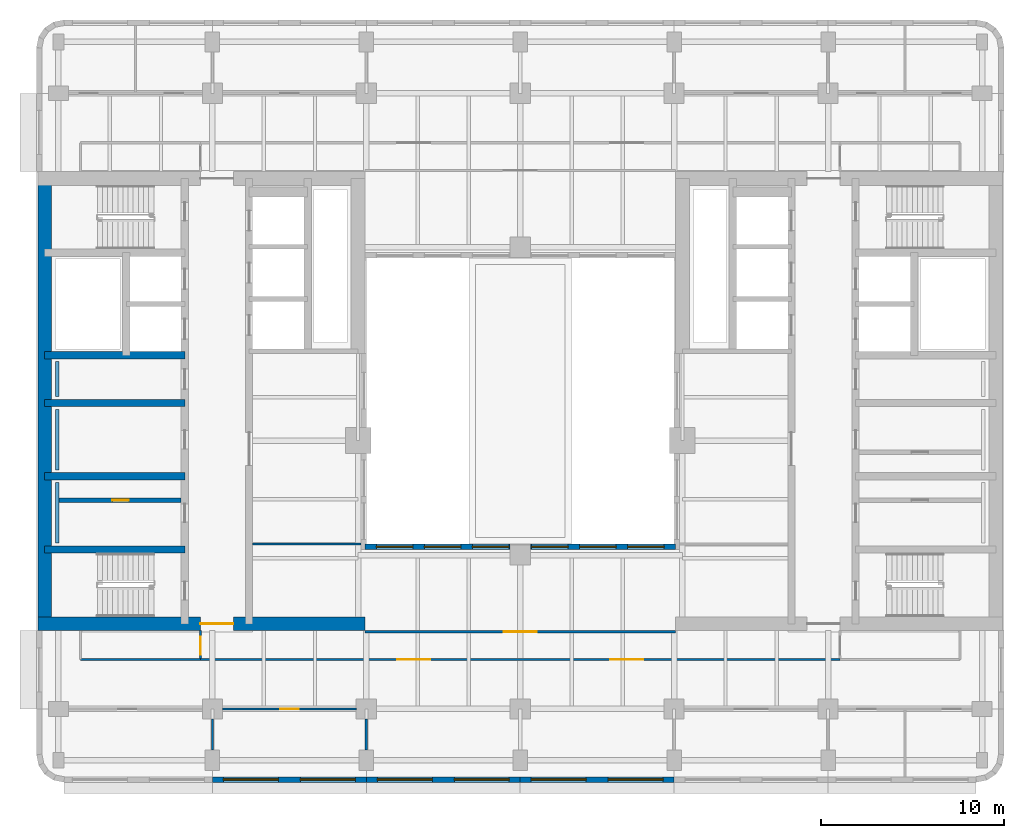
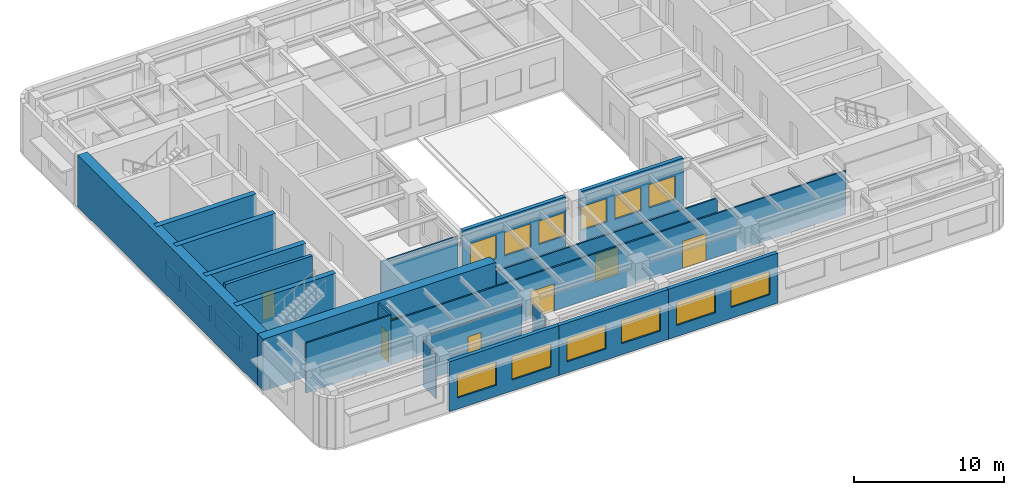
# One storey, part 3 of 11: 23 walls, 12 windows, 7 doors, 19 openings.
"""IFC4 building model written with IfcOpenShell, lengths in metres."""

from ifc_helpers import new_model, si_unit, direction, frame, frame_2d, origin, place, context, subcontext, project, spatial, rectangle, extrude, material, layer, layer_set, type_object, element, fill, save


model = new_model("IFC4")

# Units and contexts
model_context = context("Model", 3, precision=1e-05, world=origin(), true_north=direction((0.0, 1.0)))
body_context = subcontext(model_context, "Body", "Model", "MODEL_VIEW")
ifc_project = project(units=[si_unit("LENGTHUNIT", "METRE"), si_unit("AREAUNIT", "SQUARE_METRE"), si_unit("VOLUMEUNIT", "CUBIC_METRE"), si_unit("PLANEANGLEUNIT", "RADIAN"), si_unit("MASSUNIT", "GRAM", prefix="KILO")], contexts=[model_context])

# Site, building, storey
site_placement = place(None, origin())
site = spatial("IfcSite", under=ifc_project, at=site_placement, CompositionType="ELEMENT")
building_placement = place(site_placement, origin())
building = spatial("IfcBuilding", under=site, at=building_placement, Name="Claustro Exchange Tower", CompositionType="ELEMENT")
storey_placement = place(building_placement, frame((0.0, 0.0, 177.60009765625)))
storey = spatial("IfcBuildingStorey", under=building, at=storey_placement, Name="L40", CompositionType="ELEMENT", Elevation=177.60009765625)

# Wall
ifc_material_1 = material(Name="Laminated glass in aluminium frame", Category="aluminium")
ifc_layer_1 = layer(ifc_material_1, 0.1201171875)
ifc_layer_set_1 = layer_set([ifc_layer_1], Name="Laminated glass in aluminium frame")
wall_type_1 = type_object("IfcWallType", Name="P2 120 glazed partition", PredefinedType="PARTITIONING", material=ifc_layer_set_1)
wall_1_placement = place(storey_placement, frame((10.597900390625, 17.39990234375, 0.0), z_axis=(0.0, 0.0, 1.0), x_axis=(1.0, 0.0, 0.0)))
element("IfcWall", 1, at=wall_1_placement, inside=storey, type_object=wall_type_1, Name="Partition P2 L40", PredefinedType="PARTITIONING", context=body_context, shape_type="SweptSolid", body=[
    extrude(rectangle(XDim=5.904052734375, YDim=0.1201171875, at=frame_2d((2.9521484375, 0.0))), origin(), (0.0, 0.0, 1.0), 3.5498046875),
])

# Wall, opening, door
wall_2_placement = place(storey_placement, frame((8.948974609375, 8.39990234375, 0.0), z_axis=(0.0, 0.0, 1.0), x_axis=(1.0, 0.0, 0.0)))
wall_2 = element("IfcWall", 2, at=wall_2_placement, inside=storey, type_object=wall_type_1, Name="Partition P2 L40", PredefinedType="PARTITIONING", context=body_context, shape_type="SweptSolid", body=[
    extrude(rectangle(XDim=7.302001953125, YDim=0.1201171875, at=frame_2d((3.65087890625, 0.0))), origin(), (0.0, 0.0, 1.0), 3.5498046875),
])
opening_1_placement = place(wall_2_placement, frame((3.15087890625, 0.0, 0.0)))
opening_1 = element("IfcOpeningElement", 3, at=opening_1_placement, cuts=wall_2, Name="Opening D7", PredefinedType="OPENING", context=body_context, shape_type="SweptSolid", body=[
    extrude(rectangle(XDim=1.0, YDim=2.39990234375, at=frame_2d((0.5, 1.199951171875))), frame((0.0, 0.070068359375, 0.0), z_axis=(0.0, -1.0, 0.0), x_axis=(1.0, 0.0, 0.0)), (0.0, 0.0, 1.0), 0.14013671875),
])
ifc_material_2 = material(Name="Glass door in aluminium frame", Category="aluminium")
door_type_1 = type_object("IfcDoorType", Name="D7 1000 x 2400 glazed door", OperationType="SINGLE_SWING_LEFT", PredefinedType="DOOR", material=ifc_material_2)
door_1_placement = place(opening_1_placement, frame((1.0, 0.0, 0.0), z_axis=(0.0, 0.0, 1.0), x_axis=(-1.0, 0.0, 0.0)))
door_1 = element("IfcDoor", 4, at=door_1_placement, inside=storey, type_object=door_type_1, Name="Door D7 L40", OperationType="SINGLE_SWING_RIGHT", OverallHeight=2.39990234375, OverallWidth=1.0, PredefinedType="DOOR", context=body_context, shape_type="SweptSolid", body=[
    extrude(rectangle(XDim=1.0, YDim=2.39990234375, at=frame_2d((0.5, 1.199951171875))), frame((0.0, 0.02490234375, 0.0), z_axis=(0.0, -1.0, 0.0), x_axis=(1.0, 0.0, 0.0)), (0.0, 0.0, 1.0), 0.050048828125),
])
fill(opening_1, door_1)

# Walls
for number, where, z_axis, x_axis, name in (
    (5, (8.39990234375, 6.14892578125, 0.0), (0.0, 0.0, 1.0), (0.0, 1.0, 0.0), "Partition P2 L40"),
    (6, (16.800048828125, 6.14892578125, 0.0), (0.0, 0.0, 1.0), (0.0, 1.0, 0.0), "Partition P2 L40"),
):
    element("IfcWall", number, at=place(storey_placement, frame(where, z_axis=z_axis, x_axis=x_axis)), inside=storey, type_object=wall_type_1, Name=name, PredefinedType="PARTITIONING", context=body_context, shape_type="SweptSolid", body=[
        extrude(rectangle(XDim=1.7021484375, YDim=0.1201171875, at=frame_2d((0.85107421875, 0.0))), origin(), (0.0, 0.0, 1.0), 3.68994140625),
    ])

# Wall, openings, doors
wall_3_placement = place(storey_placement, frame((7.748046875, 11.10009765625, 0.0), z_axis=(0.0, 0.0, 1.0), x_axis=(1.0, 0.0, 0.0)))
wall_3 = element("IfcWall", 7, at=wall_3_placement, inside=storey, type_object=wall_type_1, Name="Partition P2 L40", PredefinedType="PARTITIONING", context=body_context, shape_type="SweptSolid", body=[
    extrude(rectangle(XDim=34.904052734375, YDim=0.1201171875, at=frame_2d((17.4521484375, 0.0))), origin(), (0.0, 0.0, 1.0), 3.5498046875),
])
opening_2_placement = place(wall_3_placement, frame((10.7353515625, 0.0, 0.0)))
opening_2 = element("IfcOpeningElement", 8, at=opening_2_placement, cuts=wall_3, Name="Opening D2", PredefinedType="OPENING", context=body_context, shape_type="SweptSolid", body=[
    extrude(rectangle(XDim=1.800048828125, YDim=2.199951171875, at=frame_2d((0.89990234375, 1.10009765625))), frame((0.0, 0.070068359375, 0.0), z_axis=(0.0, -1.0, 0.0), x_axis=(1.0, 0.0, 0.0)), (0.0, 0.0, 1.0), 0.14013671875),
])
opening_3_placement = place(wall_3_placement, frame((22.36865234375, 0.0, 0.0)))
opening_3 = element("IfcOpeningElement", 9, at=opening_3_placement, cuts=wall_3, Name="Opening D2", PredefinedType="OPENING", context=body_context, shape_type="SweptSolid", body=[
    extrude(rectangle(XDim=1.800048828125, YDim=2.199951171875, at=frame_2d((0.89990234375, 1.10009765625))), frame((0.0, 0.070068359375, 0.0), z_axis=(0.0, -1.0, 0.0), x_axis=(1.0, 0.0, 0.0)), (0.0, 0.0, 1.0), 0.14013671875),
])
ifc_material_3 = material(Name="Timber door, oak veneer", Category="wood")
door_type_2 = type_object("IfcDoorType", Name="D2 1800 x 2200 double door", OperationType="DOUBLE_DOOR_SINGLE_SWING", PredefinedType="DOOR", material=ifc_material_3)
door_2_placement = place(opening_2_placement, frame((1.800048828125, 0.0, 0.0), z_axis=(0.0, 0.0, 1.0), x_axis=(-1.0, 0.0, 0.0)))
door_2 = element("IfcDoor", 10, at=door_2_placement, inside=storey, type_object=door_type_2, Name="Double door D2 L40", OperationType="DOUBLE_DOOR_SINGLE_SWING", OverallHeight=2.199951171875, OverallWidth=1.800048828125, PredefinedType="DOOR", context=body_context, shape_type="SweptSolid", body=[
    extrude(rectangle(XDim=1.800048828125, YDim=2.199951171875, at=frame_2d((0.89990234375, 1.10009765625))), frame((0.0, 0.02490234375, 0.0), z_axis=(0.0, -1.0, 0.0), x_axis=(1.0, 0.0, 0.0)), (0.0, 0.0, 1.0), 0.050048828125),
])
fill(opening_2, door_2)
door_3_placement = place(opening_3_placement, frame((1.800048828125, 0.0, 0.0), z_axis=(0.0, 0.0, 1.0), x_axis=(-1.0, 0.0, 0.0)))
door_3 = element("IfcDoor", 11, at=door_3_placement, inside=storey, type_object=door_type_2, Name="Double door D2 L40", OperationType="DOUBLE_DOOR_SINGLE_SWING", OverallHeight=2.199951171875, OverallWidth=1.800048828125, PredefinedType="DOOR", context=body_context, shape_type="SweptSolid", body=[
    extrude(rectangle(XDim=1.800048828125, YDim=2.199951171875, at=frame_2d((0.89990234375, 1.10009765625))), frame((0.0, 0.02490234375, 0.0), z_axis=(0.0, -1.0, 0.0), x_axis=(1.0, 0.0, 0.0)), (0.0, 0.0, 1.0), 0.050048828125),
])
fill(opening_3, door_3)

# Wall, opening, door
wall_4_placement = place(storey_placement, frame((7.75, 11.157958984375, 0.0), z_axis=(0.0, 0.0, 1.0), x_axis=(0.0, 1.0, 0.0)))
wall_4 = element("IfcWall", 12, at=wall_4_placement, inside=storey, type_object=wall_type_1, Name="Partition P2 L40", PredefinedType="PARTITIONING", context=body_context, shape_type="SweptSolid", body=[
    extrude(rectangle(XDim=1.51806640625, YDim=0.1201171875, at=frame_2d((0.759033203125, 0.0))), origin(), (0.0, 0.0, 1.0), 4.0498046875),
])
opening_4_placement = place(wall_4_placement, frame((0.19189453125, 0.0, 0.0)))
opening_4 = element("IfcOpeningElement", 13, at=opening_4_placement, cuts=wall_4, Name="Opening D7", PredefinedType="OPENING", context=body_context, shape_type="SweptSolid", body=[
    extrude(rectangle(XDim=1.0, YDim=2.39990234375, at=frame_2d((0.5, 1.199951171875))), frame((0.0, 0.070068359375, 0.0), z_axis=(0.0, -1.0, 0.0), x_axis=(1.0, 0.0, 0.0)), (0.0, 0.0, 1.0), 0.14013671875),
])
door_4_placement = place(opening_4_placement, origin())
door_4 = element("IfcDoor", 14, at=door_4_placement, inside=storey, type_object=door_type_1, Name="Door D7 L40", OperationType="SINGLE_SWING_LEFT", OverallHeight=2.39990234375, OverallWidth=1.0, PredefinedType="DOOR", context=body_context, shape_type="SweptSolid", body=[
    extrude(rectangle(XDim=1.0, YDim=2.39990234375, at=frame_2d((0.5, 1.199951171875))), frame((0.0, 0.02490234375, 0.0), z_axis=(0.0, -1.0, 0.0), x_axis=(1.0, 0.0, 0.0)), (0.0, 0.0, 1.0), 0.050048828125),
])
fill(opening_4, door_4)

# Wall
wall_5_placement = place(storey_placement, frame((1.199951171875, 11.10009765625, 0.0), z_axis=(0.0, 0.0, 1.0), x_axis=(1.0, 0.0, 0.0)))
element("IfcWall", 15, at=wall_5_placement, inside=storey, type_object=wall_type_1, Name="Partition P2 L40", PredefinedType="PARTITIONING", context=body_context, shape_type="SweptSolid", body=[
    extrude(rectangle(XDim=6.552001953125, YDim=0.1201171875, at=frame_2d((3.27587890625, 0.0))), origin(), (0.0, 0.0, 1.0), 4.0498046875),
])

# Wall, opening, door
wall_6_placement = place(storey_placement, frame((16.72509765625, 12.614990234375, 0.0), z_axis=(0.0, 0.0, 1.0), x_axis=(1.0, 0.0, 0.0)))
wall_6 = element("IfcWall", 16, at=wall_6_placement, inside=storey, type_object=wall_type_1, Name="Partition P2 L40", PredefinedType="PARTITIONING", context=body_context, shape_type="SweptSolid", body=[
    extrude(rectangle(XDim=16.949951171875, YDim=0.1201171875, at=frame_2d((8.47509765625, 0.0))), origin(), (0.0, 0.0, 1.0), 3.5498046875),
])
opening_5_placement = place(wall_6_placement, frame((7.574951171875, 0.0, 0.0)))
opening_5 = element("IfcOpeningElement", 17, at=opening_5_placement, cuts=wall_6, Name="Opening D2", PredefinedType="OPENING", context=body_context, shape_type="SweptSolid", body=[
    extrude(rectangle(XDim=1.800048828125, YDim=2.199951171875, at=frame_2d((0.89990234375, 1.10009765625))), frame((0.0, 0.070068359375, 0.0), z_axis=(0.0, -1.0, 0.0), x_axis=(1.0, 0.0, 0.0)), (0.0, 0.0, 1.0), 0.14013671875),
])
door_5_placement = place(opening_5_placement, frame((1.800048828125, 0.0, 0.0), z_axis=(0.0, 0.0, 1.0), x_axis=(-1.0, 0.0, 0.0)))
door_5 = element("IfcDoor", 18, at=door_5_placement, inside=storey, type_object=door_type_2, Name="Double door D2 L40", OperationType="DOUBLE_DOOR_SINGLE_SWING", OverallHeight=2.199951171875, OverallWidth=1.800048828125, PredefinedType="DOOR", context=body_context, shape_type="SweptSolid", body=[
    extrude(rectangle(XDim=1.800048828125, YDim=2.199951171875, at=frame_2d((0.89990234375, 1.10009765625))), frame((0.0, 0.02490234375, 0.0), z_axis=(0.0, -1.0, 0.0), x_axis=(1.0, 0.0, 0.0)), (0.0, 0.0, 1.0), 0.050048828125),
])
fill(opening_5, door_5)

ifc_material_4 = material(Name="Concrete blockwork, rendered", Category="masonry")
ifc_layer_2 = layer(ifc_material_4, 0.25)
ifc_layer_set_2 = layer_set([ifc_layer_2], Name="Concrete blockwork, rendered")
wall_type_2 = type_object("IfcWallType", Name="P4 250 blockwork wall", PredefinedType="PARTITIONING", material=ifc_layer_set_2)
wall_7_placement = place(storey_placement, frame((0.02490234375, 19.800048828125, 0.0), z_axis=(0.0, 0.0, 1.0), x_axis=(1.0, 0.0, 0.0)))
wall_7 = element("IfcWall", 19, at=wall_7_placement, inside=storey, type_object=wall_type_2, Name="Partition P4 L40", PredefinedType="PARTITIONING", context=body_context, shape_type="SweptSolid", body=[
    extrude(rectangle(XDim=6.675048828125, YDim=0.25, at=frame_2d((3.33740234375, 0.0))), origin(), (0.0, 0.0, 1.0), 4.0),
])
opening_6_placement = place(wall_7_placement, frame((2.91259765625, 0.0, 0.0)))
opening_6 = element("IfcOpeningElement", 20, at=opening_6_placement, cuts=wall_7, Name="Opening D5", PredefinedType="OPENING", context=body_context, shape_type="SweptSolid", body=[
    extrude(rectangle(XDim=0.89990234375, YDim=2.199951171875, at=frame_2d((0.449951171875, 1.10009765625))), frame((0.0, 0.135009765625, 0.0), z_axis=(0.0, -1.0, 0.0), x_axis=(1.0, 0.0, 0.0)), (0.0, 0.0, 1.0), 0.27001953125),
])
ifc_material_5 = material(Name="Steel door, painted", Category="steel")
door_type_3 = type_object("IfcDoorType", Name="D5 900 x 2200 store door", OperationType="SINGLE_SWING_LEFT", PredefinedType="DOOR", material=ifc_material_5)
door_6_placement = place(opening_6_placement, origin())
door_6 = element("IfcDoor", 21, at=door_6_placement, inside=storey, type_object=door_type_3, Name="Store door D5 L40", OperationType="SINGLE_SWING_RIGHT", OverallHeight=2.199951171875, OverallWidth=0.89990234375, PredefinedType="DOOR", context=body_context, shape_type="SweptSolid", body=[
    extrude(rectangle(XDim=0.89990234375, YDim=2.199951171875, at=frame_2d((0.449951171875, 1.10009765625))), frame((0.0, 0.02490234375, 0.0), z_axis=(0.0, -1.0, 0.0), x_axis=(1.0, 0.0, 0.0)), (0.0, 0.0, 1.0), 0.050048828125),
])
fill(opening_6, door_6)

# Wall, openings, windows
ifc_material_6 = material(Name="Concrete HA-40 (C40/50), precast, white cement, acid-etched", Category="concrete")
ifc_layer_3 = layer(ifc_material_6, 0.300048828125)
ifc_layer_set_3 = layer_set([ifc_layer_3], Name="Concrete HA-40 (C40/50), precast, white cement, acid-etched")
wall_type_3 = type_object("IfcWallType", Name="PC1 300 precast concrete pier panel", PredefinedType="SOLIDWALL", material=ifc_layer_set_3)
wall_8_placement = place(storey_placement, frame((33.60009765625, 4.550048828125, 0.0), z_axis=(0.0, 0.0, 1.0), x_axis=(-1.0, 0.0, 0.0)))
wall_8 = element("IfcWall", 22, at=wall_8_placement, inside=storey, type_object=wall_type_3, Name="Precast pier panel PC1 L40", PredefinedType="SOLIDWALL", context=body_context, shape_type="SweptSolid", body=[
    extrude(rectangle(XDim=8.400146484375, YDim=0.300048828125, at=frame_2d((4.2001953125, 0.0))), origin(), (0.0, 0.0, 1.0), 4.0498046875),
])
opening_7_placement = place(wall_8_placement, frame((0.60009765625, 0.0, 0.89990234375)))
opening_7 = element("IfcOpeningElement", 23, at=opening_7_placement, cuts=wall_8, Name="Opening W1", PredefinedType="OPENING", context=body_context, shape_type="SweptSolid", body=[
    extrude(rectangle(XDim=3.0, YDim=1.89990234375, at=frame_2d((1.5, 0.949951171875))), frame((0.0, 0.159912109375, 0.0), z_axis=(0.0, -1.0, 0.0), x_axis=(1.0, 0.0, 0.0)), (0.0, 0.0, 1.0), 0.320068359375),
])
opening_8_placement = place(wall_8_placement, frame((4.800048828125, 0.0, 0.89990234375)))
opening_8 = element("IfcOpeningElement", 24, at=opening_8_placement, cuts=wall_8, Name="Opening W1", PredefinedType="OPENING", context=body_context, shape_type="SweptSolid", body=[
    extrude(rectangle(XDim=3.0, YDim=1.89990234375, at=frame_2d((1.5, 0.949951171875))), frame((0.0, 0.159912109375, 0.0), z_axis=(0.0, -1.0, 0.0), x_axis=(1.0, 0.0, 0.0)), (0.0, 0.0, 1.0), 0.320068359375),
])
ifc_material_7 = material(Name="Aluminium frame, clear double glazing", Category="aluminium")
window_type_1 = type_object("IfcWindowType", Name="W1 3000 x 1900 window", PartitioningType="SINGLE_PANEL", PredefinedType="WINDOW", material=ifc_material_7)
window_1_placement = place(opening_7_placement, origin())
window_1 = element("IfcWindow", 25, at=window_1_placement, inside=storey, type_object=window_type_1, Name="Window W1 L40", OverallHeight=1.89990234375, OverallWidth=3.0, PartitioningType="SINGLE_PANEL", PredefinedType="WINDOW", context=body_context, shape_type="SweptSolid", body=[
    extrude(rectangle(XDim=3.0, YDim=1.89990234375, at=frame_2d((1.5, 0.949951171875))), frame((0.0, 0.030029296875, 0.0), z_axis=(0.0, -1.0, 0.0), x_axis=(1.0, 0.0, 0.0)), (0.0, 0.0, 1.0), 0.06005859375),
])
fill(opening_7, window_1)
window_2_placement = place(opening_8_placement, origin())
window_2 = element("IfcWindow", 26, at=window_2_placement, inside=storey, type_object=window_type_1, Name="Window W1 L40", OverallHeight=1.89990234375, OverallWidth=3.0, PartitioningType="SINGLE_PANEL", PredefinedType="WINDOW", context=body_context, shape_type="SweptSolid", body=[
    extrude(rectangle(XDim=3.0, YDim=1.89990234375, at=frame_2d((1.5, 0.949951171875))), frame((0.0, 0.030029296875, 0.0), z_axis=(0.0, -1.0, 0.0), x_axis=(1.0, 0.0, 0.0)), (0.0, 0.0, 1.0), 0.06005859375),
])
fill(opening_8, window_2)

wall_9_placement = place(storey_placement, frame((25.199951171875, 4.550048828125, 0.0), z_axis=(0.0, 0.0, 1.0), x_axis=(-1.0, 0.0, 0.0)))
wall_9 = element("IfcWall", 27, at=wall_9_placement, inside=storey, type_object=wall_type_3, Name="Precast pier panel PC1 L40", PredefinedType="SOLIDWALL", context=body_context, shape_type="SweptSolid", body=[
    extrude(rectangle(XDim=8.39990234375, YDim=0.300048828125, at=frame_2d((4.199951171875, 0.0))), origin(), (0.0, 0.0, 1.0), 4.0498046875),
])
opening_9_placement = place(wall_9_placement, frame((0.60009765625, 0.0, 0.89990234375)))
opening_9 = element("IfcOpeningElement", 28, at=opening_9_placement, cuts=wall_9, Name="Opening W1", PredefinedType="OPENING", context=body_context, shape_type="SweptSolid", body=[
    extrude(rectangle(XDim=3.0, YDim=1.89990234375, at=frame_2d((1.5, 0.949951171875))), frame((0.0, 0.159912109375, 0.0), z_axis=(0.0, -1.0, 0.0), x_axis=(1.0, 0.0, 0.0)), (0.0, 0.0, 1.0), 0.320068359375),
])
opening_10_placement = place(wall_9_placement, frame((4.800048828125, 0.0, 0.89990234375)))
opening_10 = element("IfcOpeningElement", 29, at=opening_10_placement, cuts=wall_9, Name="Opening W1", PredefinedType="OPENING", context=body_context, shape_type="SweptSolid", body=[
    extrude(rectangle(XDim=3.0, YDim=1.89990234375, at=frame_2d((1.5, 0.949951171875))), frame((0.0, 0.159912109375, 0.0), z_axis=(0.0, -1.0, 0.0), x_axis=(1.0, 0.0, 0.0)), (0.0, 0.0, 1.0), 0.320068359375),
])
window_3_placement = place(opening_9_placement, origin())
window_3 = element("IfcWindow", 30, at=window_3_placement, inside=storey, type_object=window_type_1, Name="Window W1 L40", OverallHeight=1.89990234375, OverallWidth=3.0, PartitioningType="SINGLE_PANEL", PredefinedType="WINDOW", context=body_context, shape_type="SweptSolid", body=[
    extrude(rectangle(XDim=3.0, YDim=1.89990234375, at=frame_2d((1.5, 0.949951171875))), frame((0.0, 0.030029296875, 0.0), z_axis=(0.0, -1.0, 0.0), x_axis=(1.0, 0.0, 0.0)), (0.0, 0.0, 1.0), 0.06005859375),
])
fill(opening_9, window_3)
window_4_placement = place(opening_10_placement, origin())
window_4 = element("IfcWindow", 31, at=window_4_placement, inside=storey, type_object=window_type_1, Name="Window W1 L40", OverallHeight=1.89990234375, OverallWidth=3.0, PartitioningType="SINGLE_PANEL", PredefinedType="WINDOW", context=body_context, shape_type="SweptSolid", body=[
    extrude(rectangle(XDim=3.0, YDim=1.89990234375, at=frame_2d((1.5, 0.949951171875))), frame((0.0, 0.030029296875, 0.0), z_axis=(0.0, -1.0, 0.0), x_axis=(1.0, 0.0, 0.0)), (0.0, 0.0, 1.0), 0.06005859375),
])
fill(opening_10, window_4)

wall_10_placement = place(storey_placement, frame((16.800048828125, 4.550048828125, 0.0), z_axis=(0.0, 0.0, 1.0), x_axis=(-1.0, 0.0, 0.0)))
wall_10 = element("IfcWall", 32, at=wall_10_placement, inside=storey, type_object=wall_type_3, Name="Precast pier panel PC1 L40", PredefinedType="SOLIDWALL", context=body_context, shape_type="SweptSolid", body=[
    extrude(rectangle(XDim=8.400146484375, YDim=0.300048828125, at=frame_2d((4.2001953125, 0.0))), origin(), (0.0, 0.0, 1.0), 4.0498046875),
])
opening_11_placement = place(wall_10_placement, frame((0.60009765625, 0.0, 0.89990234375)))
opening_11 = element("IfcOpeningElement", 33, at=opening_11_placement, cuts=wall_10, Name="Opening W1", PredefinedType="OPENING", context=body_context, shape_type="SweptSolid", body=[
    extrude(rectangle(XDim=3.0, YDim=1.89990234375, at=frame_2d((1.5, 0.949951171875))), frame((0.0, 0.159912109375, 0.0), z_axis=(0.0, -1.0, 0.0), x_axis=(1.0, 0.0, 0.0)), (0.0, 0.0, 1.0), 0.320068359375),
])
opening_12_placement = place(wall_10_placement, frame((4.800048828125, 0.0, 0.89990234375)))
opening_12 = element("IfcOpeningElement", 34, at=opening_12_placement, cuts=wall_10, Name="Opening W1", PredefinedType="OPENING", context=body_context, shape_type="SweptSolid", body=[
    extrude(rectangle(XDim=3.0, YDim=1.89990234375, at=frame_2d((1.5, 0.949951171875))), frame((0.0, 0.159912109375, 0.0), z_axis=(0.0, -1.0, 0.0), x_axis=(1.0, 0.0, 0.0)), (0.0, 0.0, 1.0), 0.320068359375),
])
window_5_placement = place(opening_11_placement, origin())
window_5 = element("IfcWindow", 35, at=window_5_placement, inside=storey, type_object=window_type_1, Name="Window W1 L40", OverallHeight=1.89990234375, OverallWidth=3.0, PartitioningType="SINGLE_PANEL", PredefinedType="WINDOW", context=body_context, shape_type="SweptSolid", body=[
    extrude(rectangle(XDim=3.0, YDim=1.89990234375, at=frame_2d((1.5, 0.949951171875))), frame((0.0, 0.030029296875, 0.0), z_axis=(0.0, -1.0, 0.0), x_axis=(1.0, 0.0, 0.0)), (0.0, 0.0, 1.0), 0.06005859375),
])
fill(opening_11, window_5)
window_6_placement = place(opening_12_placement, origin())
window_6 = element("IfcWindow", 36, at=window_6_placement, inside=storey, type_object=window_type_1, Name="Window W1 L40", OverallHeight=1.89990234375, OverallWidth=3.0, PartitioningType="SINGLE_PANEL", PredefinedType="WINDOW", context=body_context, shape_type="SweptSolid", body=[
    extrude(rectangle(XDim=3.0, YDim=1.89990234375, at=frame_2d((1.5, 0.949951171875))), frame((0.0, 0.030029296875, 0.0), z_axis=(0.0, -1.0, 0.0), x_axis=(1.0, 0.0, 0.0)), (0.0, 0.0, 1.0), 0.06005859375),
])
fill(opening_12, window_6)

wall_11_placement = place(storey_placement, frame((16.72509765625, 17.25, 0.0), z_axis=(0.0, 0.0, 1.0), x_axis=(1.0, 0.0, 0.0)))
wall_11 = element("IfcWall", 37, at=wall_11_placement, inside=storey, type_object=wall_type_3, Name="Precast pier panel PC1 L40", PredefinedType="SOLIDWALL", context=body_context, shape_type="SweptSolid", body=[
    extrude(rectangle(XDim=7.9248046875, YDim=0.300048828125, at=frame_2d((3.96240234375, 0.0))), origin(), (0.0, 0.0, 1.0), 4.0498046875),
])
opening_13_placement = place(wall_11_placement, frame((0.61865234375, 0.0, 0.89990234375)))
opening_13 = element("IfcOpeningElement", 38, at=opening_13_placement, cuts=wall_11, Name="Opening W4", PredefinedType="OPENING", context=body_context, shape_type="SweptSolid", body=[
    extrude(rectangle(XDim=2.0, YDim=1.89990234375, at=frame_2d((1.0, 0.949951171875))), frame((0.0, 0.159912109375, 0.0), z_axis=(0.0, -1.0, 0.0), x_axis=(1.0, 0.0, 0.0)), (0.0, 0.0, 1.0), 0.320068359375),
])
opening_14_placement = place(wall_11_placement, frame((3.237548828125, 0.0, 0.89990234375)))
opening_14 = element("IfcOpeningElement", 39, at=opening_14_placement, cuts=wall_11, Name="Opening W4", PredefinedType="OPENING", context=body_context, shape_type="SweptSolid", body=[
    extrude(rectangle(XDim=2.0, YDim=1.89990234375, at=frame_2d((1.0, 0.949951171875))), frame((0.0, 0.159912109375, 0.0), z_axis=(0.0, -1.0, 0.0), x_axis=(1.0, 0.0, 0.0)), (0.0, 0.0, 1.0), 0.320068359375),
])
opening_15_placement = place(wall_11_placement, frame((5.856201171875, 0.0, 0.89990234375)))
opening_15 = element("IfcOpeningElement", 40, at=opening_15_placement, cuts=wall_11, Name="Opening W4", PredefinedType="OPENING", context=body_context, shape_type="SweptSolid", body=[
    extrude(rectangle(XDim=2.0, YDim=1.89990234375, at=frame_2d((1.0, 0.949951171875))), frame((0.0, 0.159912109375, 0.0), z_axis=(0.0, -1.0, 0.0), x_axis=(1.0, 0.0, 0.0)), (0.0, 0.0, 1.0), 0.320068359375),
])
ifc_material_8 = material(Name="Aluminium frame, clear double glazing", Category="aluminium")
window_type_2 = type_object("IfcWindowType", Name="W4 2000 x 1900 light well window", PartitioningType="SINGLE_PANEL", PredefinedType="WINDOW", material=ifc_material_8)
window_7_placement = place(opening_13_placement, origin())
window_7 = element("IfcWindow", 41, at=window_7_placement, inside=storey, type_object=window_type_2, Name="Window W4 L40", OverallHeight=1.89990234375, OverallWidth=2.0, PartitioningType="SINGLE_PANEL", PredefinedType="WINDOW", context=body_context, shape_type="SweptSolid", body=[
    extrude(rectangle(XDim=2.0, YDim=1.89990234375, at=frame_2d((1.0, 0.949951171875))), frame((0.0, 0.030029296875, 0.0), z_axis=(0.0, -1.0, 0.0), x_axis=(1.0, 0.0, 0.0)), (0.0, 0.0, 1.0), 0.06005859375),
])
fill(opening_13, window_7)
window_8_placement = place(opening_14_placement, origin())
window_8 = element("IfcWindow", 42, at=window_8_placement, inside=storey, type_object=window_type_2, Name="Window W4 L40", OverallHeight=1.89990234375, OverallWidth=2.0, PartitioningType="SINGLE_PANEL", PredefinedType="WINDOW", context=body_context, shape_type="SweptSolid", body=[
    extrude(rectangle(XDim=2.0, YDim=1.89990234375, at=frame_2d((1.0, 0.949951171875))), frame((0.0, 0.030029296875, 0.0), z_axis=(0.0, -1.0, 0.0), x_axis=(1.0, 0.0, 0.0)), (0.0, 0.0, 1.0), 0.06005859375),
])
fill(opening_14, window_8)
window_9_placement = place(opening_15_placement, origin())
window_9 = element("IfcWindow", 43, at=window_9_placement, inside=storey, type_object=window_type_2, Name="Window W4 L40", OverallHeight=1.89990234375, OverallWidth=2.0, PartitioningType="SINGLE_PANEL", PredefinedType="WINDOW", context=body_context, shape_type="SweptSolid", body=[
    extrude(rectangle(XDim=2.0, YDim=1.89990234375, at=frame_2d((1.0, 0.949951171875))), frame((0.0, 0.030029296875, 0.0), z_axis=(0.0, -1.0, 0.0), x_axis=(1.0, 0.0, 0.0)), (0.0, 0.0, 1.0), 0.06005859375),
])
fill(opening_15, window_9)

wall_12_placement = place(storey_placement, frame((25.75, 17.25, 0.0), z_axis=(0.0, 0.0, 1.0), x_axis=(1.0, 0.0, 0.0)))
wall_12 = element("IfcWall", 44, at=wall_12_placement, inside=storey, type_object=wall_type_3, Name="Precast pier panel PC1 L40", PredefinedType="SOLIDWALL", context=body_context, shape_type="SweptSolid", body=[
    extrude(rectangle(XDim=7.925048828125, YDim=0.300048828125, at=frame_2d((3.96240234375, 0.0))), origin(), (0.0, 0.0, 1.0), 4.0498046875),
])
opening_16_placement = place(wall_12_placement, frame((0.068603515625, 0.0, 0.89990234375)))
opening_16 = element("IfcOpeningElement", 45, at=opening_16_placement, cuts=wall_12, Name="Opening W4", PredefinedType="OPENING", context=body_context, shape_type="SweptSolid", body=[
    extrude(rectangle(XDim=2.0, YDim=1.89990234375, at=frame_2d((1.0, 0.949951171875))), frame((0.0, 0.159912109375, 0.0), z_axis=(0.0, -1.0, 0.0), x_axis=(1.0, 0.0, 0.0)), (0.0, 0.0, 1.0), 0.320068359375),
])
opening_17_placement = place(wall_12_placement, frame((2.6875, 0.0, 0.89990234375)))
opening_17 = element("IfcOpeningElement", 46, at=opening_17_placement, cuts=wall_12, Name="Opening W4", PredefinedType="OPENING", context=body_context, shape_type="SweptSolid", body=[
    extrude(rectangle(XDim=2.0, YDim=1.89990234375, at=frame_2d((1.0, 0.949951171875))), frame((0.0, 0.159912109375, 0.0), z_axis=(0.0, -1.0, 0.0), x_axis=(1.0, 0.0, 0.0)), (0.0, 0.0, 1.0), 0.320068359375),
])
opening_18_placement = place(wall_12_placement, frame((5.30615234375, 0.0, 0.89990234375)))
opening_18 = element("IfcOpeningElement", 47, at=opening_18_placement, cuts=wall_12, Name="Opening W4", PredefinedType="OPENING", context=body_context, shape_type="SweptSolid", body=[
    extrude(rectangle(XDim=2.0, YDim=1.89990234375, at=frame_2d((1.0, 0.949951171875))), frame((0.0, 0.159912109375, 0.0), z_axis=(0.0, -1.0, 0.0), x_axis=(1.0, 0.0, 0.0)), (0.0, 0.0, 1.0), 0.320068359375),
])
window_10_placement = place(opening_16_placement, origin())
window_10 = element("IfcWindow", 48, at=window_10_placement, inside=storey, type_object=window_type_2, Name="Window W4 L40", OverallHeight=1.89990234375, OverallWidth=2.0, PartitioningType="SINGLE_PANEL", PredefinedType="WINDOW", context=body_context, shape_type="SweptSolid", body=[
    extrude(rectangle(XDim=2.0, YDim=1.89990234375, at=frame_2d((1.0, 0.949951171875))), frame((0.0, 0.030029296875, 0.0), z_axis=(0.0, -1.0, 0.0), x_axis=(1.0, 0.0, 0.0)), (0.0, 0.0, 1.0), 0.06005859375),
])
fill(opening_16, window_10)
window_11_placement = place(opening_17_placement, origin())
window_11 = element("IfcWindow", 49, at=window_11_placement, inside=storey, type_object=window_type_2, Name="Window W4 L40", OverallHeight=1.89990234375, OverallWidth=2.0, PartitioningType="SINGLE_PANEL", PredefinedType="WINDOW", context=body_context, shape_type="SweptSolid", body=[
    extrude(rectangle(XDim=2.0, YDim=1.89990234375, at=frame_2d((1.0, 0.949951171875))), frame((0.0, 0.030029296875, 0.0), z_axis=(0.0, -1.0, 0.0), x_axis=(1.0, 0.0, 0.0)), (0.0, 0.0, 1.0), 0.06005859375),
])
fill(opening_17, window_11)
window_12_placement = place(opening_18_placement, origin())
window_12 = element("IfcWindow", 50, at=window_12_placement, inside=storey, type_object=window_type_2, Name="Window W4 L40", OverallHeight=1.89990234375, OverallWidth=2.0, PartitioningType="SINGLE_PANEL", PredefinedType="WINDOW", context=body_context, shape_type="SweptSolid", body=[
    extrude(rectangle(XDim=2.0, YDim=1.89990234375, at=frame_2d((1.0, 0.949951171875))), frame((0.0, 0.030029296875, 0.0), z_axis=(0.0, -1.0, 0.0), x_axis=(1.0, 0.0, 0.0)), (0.0, 0.0, 1.0), 0.06005859375),
])
fill(opening_18, window_12)

# Walls
ifc_material_9 = material(Name="Gypsum board on steel studs, tiled", Category="steel")
ifc_layer_4 = layer(ifc_material_9, 0.199951171875)
ifc_layer_set_4 = layer_set([ifc_layer_4], Name="Gypsum board on steel studs, tiled")
wall_type_4 = type_object("IfcWallType", Name="PW1 200 WC duct wall", PredefinedType="PLUMBINGWALL", material=ifc_layer_set_4)
for number, where, z_axis, x_axis, name in (
    (51, (-0.074951171875, 17.449951171875, 0.0), (0.0, 0.0, 1.0), (0.0, 1.0, 0.0), "WC duct wall PW1 L40"),
    (52, (-0.074951171875, 21.449951171875, 0.0), (0.0, 0.0, 1.0), (0.0, 1.0, 0.0), "WC duct wall PW1 L40"),
):
    element("IfcWall", number, at=place(storey_placement, frame(where, z_axis=z_axis, x_axis=x_axis)), inside=storey, type_object=wall_type_4, Name=name, PredefinedType="PLUMBINGWALL", context=body_context, shape_type="SweptSolid", body=[
        extrude(rectangle(XDim=3.300048828125, YDim=0.199951171875, at=frame_2d((1.64990234375, 0.0))), origin(), (0.0, 0.0, 1.0), 1.199951171875),
    ])
wall_13_placement = place(storey_placement, frame((-0.074951171875, 25.449951171875, 0.0), z_axis=(0.0, 0.0, 1.0), x_axis=(0.0, 1.0, 0.0)))
element("IfcWall", 53, at=wall_13_placement, inside=storey, type_object=wall_type_4, Name="WC duct wall PW1 L40", PredefinedType="PLUMBINGWALL", context=body_context, shape_type="SweptSolid", body=[
    extrude(rectangle(XDim=1.900146484375, YDim=0.199951171875, at=frame_2d((0.9501953125, 0.0))), origin(), (0.0, 0.0, 1.0), 1.199951171875),
])

# Wall, opening, door
ifc_material_10 = material(Name="Concrete HA-70 (C70/85)", Category="concrete")
ifc_layer_5 = layer(ifc_material_10, 0.75)
ifc_layer_set_5 = layer_set([ifc_layer_5], Name="Concrete HA-70 (C70/85)")
wall_type_5 = type_object("IfcWallType", Name="SW2 750 core shear wall", PredefinedType="SHEAR", material=ifc_layer_set_5)
wall_14_placement = place(storey_placement, frame((-1.125, 13.050048828125, 0.0), z_axis=(0.0, 0.0, 1.0), x_axis=(1.0, 0.0, 0.0)))
wall_14 = element("IfcWall", 54, at=wall_14_placement, inside=storey, type_object=wall_type_5, Name="Core wall SW2 W core S face L40", PredefinedType="SHEAR", context=body_context, shape_type="SweptSolid", body=[
    extrude(rectangle(XDim=17.85009765625, YDim=0.75, at=frame_2d((8.925048828125, 0.0))), origin(), (0.0, 0.0, 1.0), 4.199951171875),
])
opening_19_placement = place(wall_14_placement, frame((8.875, 0.0, 0.0)))
opening_19 = element("IfcOpeningElement", 55, at=opening_19_placement, cuts=wall_14, Name="Opening D3", PredefinedType="OPENING", context=body_context, shape_type="SweptSolid", body=[
    extrude(rectangle(XDim=1.800048828125, YDim=2.39990234375, at=frame_2d((0.89990234375, 1.199951171875))), frame((0.0, 0.385009765625, 0.0), z_axis=(0.0, -1.0, 0.0), x_axis=(1.0, 0.0, 0.0)), (0.0, 0.0, 1.0), 0.77001953125),
])
ifc_material_11 = material(Name="Steel fire door, painted", Category="steel")
door_type_4 = type_object("IfcDoorType", Name="D3 1800 x 2400 fire-rated lobby double door", OperationType="DOUBLE_DOOR_SINGLE_SWING", PredefinedType="DOOR", material=ifc_material_11)
door_7_placement = place(opening_19_placement, origin())
door_7 = element("IfcDoor", 56, at=door_7_placement, inside=storey, type_object=door_type_4, Name="Lift lobby door D3 L40", OperationType="DOUBLE_DOOR_SINGLE_SWING", OverallHeight=2.39990234375, OverallWidth=1.800048828125, PredefinedType="DOOR", context=body_context, shape_type="SweptSolid", body=[
    extrude(rectangle(XDim=1.800048828125, YDim=2.39990234375, at=frame_2d((0.89990234375, 1.199951171875))), frame((0.0, 0.02490234375, 0.0), z_axis=(0.0, -1.0, 0.0), x_axis=(1.0, 0.0, 0.0)), (0.0, 0.0, 1.0), 0.050048828125),
])
fill(opening_19, door_7)

# Walls
ifc_material_12 = material(Name="Concrete HA-70 (C70/85)", Category="concrete")
ifc_layer_6 = layer(ifc_material_12, 0.75)
ifc_layer_set_6 = layer_set([ifc_layer_6], Name="Concrete HA-70 (C70/85)")
wall_type_6 = type_object("IfcWallType", Name="SW2X 750 exposed core shear wall, board-marked face", PredefinedType="SHEAR", material=ifc_layer_set_6)
wall_15_placement = place(storey_placement, frame((-0.75, 13.050048828125, 0.0), z_axis=(0.0, 0.0, 1.0), x_axis=(0.0, 1.0, 0.0)))
element("IfcWall", 57, at=wall_15_placement, inside=storey, type_object=wall_type_6, Name="Core wall SW2X W core W face L40", PredefinedType="SHEAR", context=body_context, shape_type="SweptSolid", body=[
    extrude(rectangle(XDim=24.300048828125, YDim=0.75, at=frame_2d((12.14990234375, 0.0))), origin(), (0.0, 0.0, 1.0), 4.199951171875),
])
ifc_material_13 = material(Name="Concrete HA-50 (C50/60)", Category="concrete")
ifc_layer_7 = layer(ifc_material_13, 0.39990234375)
ifc_layer_set_7 = layer_set([ifc_layer_7], Name="Concrete HA-50 (C50/60)")
wall_type_7 = type_object("IfcWallType", Name="SW4 400 internal core wall", PredefinedType="SHEAR", material=ifc_layer_set_7)
for number, where, z_axis, x_axis, name in (
    (58, (-0.75, 17.10009765625, 0.0), (0.0, 0.0, 1.0), (1.0, 0.0, 0.0), "Internal core wall SW4 W core L40"),
    (59, (-0.75, 21.10009765625, 0.0), (0.0, 0.0, 1.0), (1.0, 0.0, 0.0), "Internal core wall SW4 W core L40"),
    (60, (-0.75, 25.10009765625, 0.0), (0.0, 0.0, 1.0), (1.0, 0.0, 0.0), "Internal core wall SW4 W core L40"),
    (61, (-0.75, 27.699951171875, 0.0), (0.0, 0.0, 1.0), (1.0, 0.0, 0.0), "Internal core wall SW4 W core L40"),
):
    element("IfcWall", number, at=place(storey_placement, frame(where, z_axis=z_axis, x_axis=x_axis)), inside=storey, type_object=wall_type_7, Name=name, PredefinedType="SHEAR", context=body_context, shape_type="SweptSolid", body=[
        extrude(rectangle(XDim=7.64990234375, YDim=0.39990234375, at=frame_2d((3.824951171875, 0.0))), origin(), (0.0, 0.0, 1.0), 4.199951171875),
    ])

save(model, "model.ifc")
